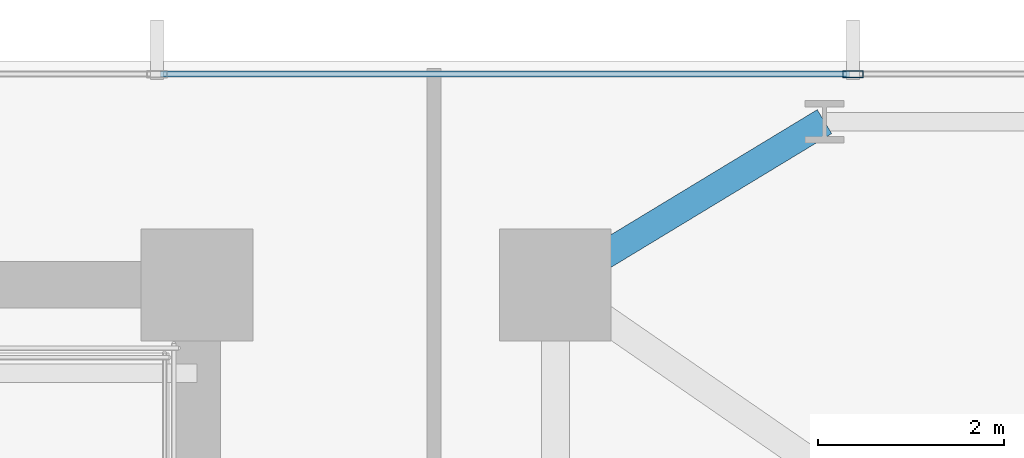
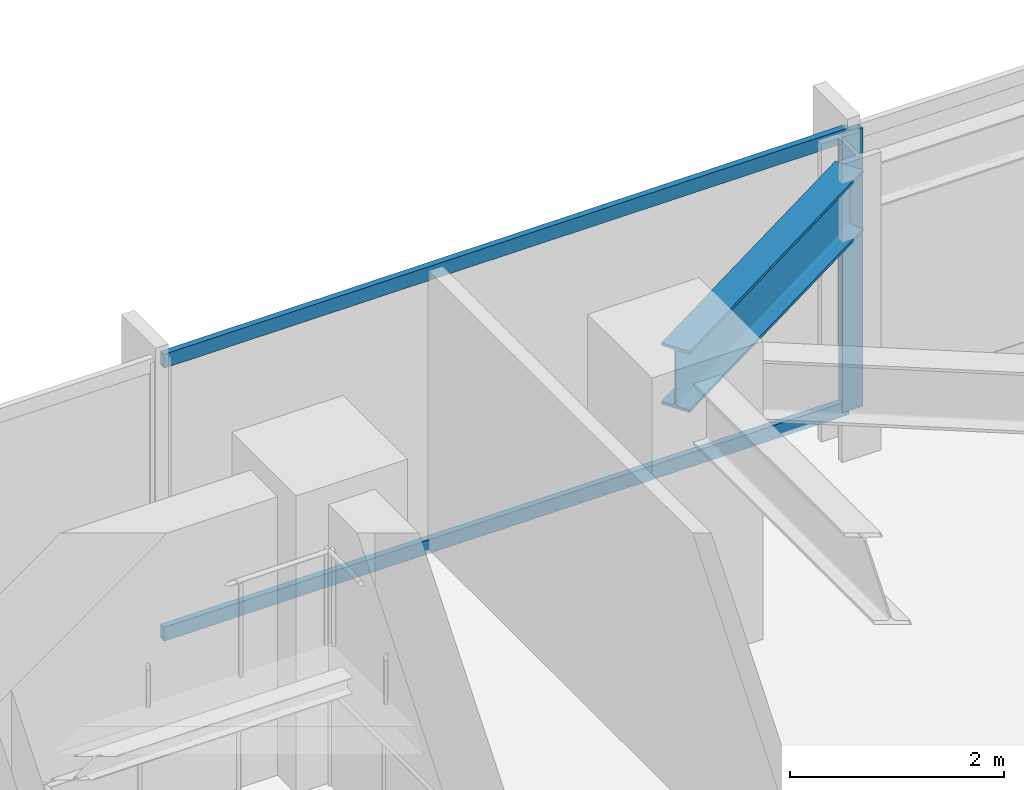
# One storey, part 20 of 32: 3 members, 1 beam, 1 element without a shape of its own.
"""IFC4 building model written with IfcOpenShell, lengths in metres."""

from ifc_helpers import new_model, si_unit, direction, frame, origin, origin_2d, place, context, subcontext, project, spatial, hollow_rectangle, i_section, extrude, material, material_profile, profile_set, type_object, element, aggregate, save


model = new_model("IFC4")

# Units and contexts
model_context = context("Model", 3, precision=1e-05, world=origin(), true_north=direction((0.0, 1.0)))
body_context = subcontext(model_context, "Body", "Model", "MODEL_VIEW")
ifc_project = project(units=[si_unit("LENGTHUNIT", "METRE"), si_unit("AREAUNIT", "SQUARE_METRE"), si_unit("VOLUMEUNIT", "CUBIC_METRE"), si_unit("PLANEANGLEUNIT", "RADIAN"), si_unit("MASSUNIT", "GRAM", prefix="KILO")], contexts=[model_context])

# Site, building, storey
site_placement = place(None, origin())
site = spatial("IfcSite", under=ifc_project, at=site_placement, CompositionType="ELEMENT")
building_placement = place(site_placement, origin())
building = spatial("IfcBuilding", under=site, at=building_placement, Name="Yelkora Congress Tower", CompositionType="ELEMENT")
storey_placement = place(building_placement, frame((0.0, 0.0, 50.800048828125)))
storey = spatial("IfcBuildingStorey", under=building, at=storey_placement, Name="L12", CompositionType="ELEMENT", Elevation=50.800048828125)

# Beam
ifc_material_1 = material(Name="Steel S355J2", Category="steel")
ifc_material_profile_1 = material_profile(ifc_material_1, i_section(OverallWidth=0.300048828125, OverallDepth=0.699951171875, WebThickness=0.01708984375, FlangeThickness=0.031982421875, FilletRadius=0.027099609375, at=origin_2d()), Name="HEB 700")
ifc_profile_set_1 = profile_set([ifc_material_profile_1], Name="Steel S355J2")
beam_type = type_object("IfcBeamType", Name="BM-GIRD-HEB700", PredefinedType="BEAM", material=ifc_profile_set_1)
beam_placement = place(storey_placement, frame((60.487548828125, 47.949951171875, 2.829833984375), z_axis=(-0.855193946581, -0.518308126244, 0.0), x_axis=(0.518308126244, -0.855193946581, 0.0)))
element("IfcBeam", 1, at=beam_placement, inside=storey, type_object=beam_type, Name="L12 Primary Frame Girder N08", PredefinedType="BEAM", context=body_context, shape_type="SweptSolid", body=[
    extrude(i_section(OverallWidth=0.300048828125, OverallDepth=0.699951171875, WebThickness=0.01708984375, FlangeThickness=0.031982421875, FilletRadius=0.027099609375, at=origin_2d()), origin(), (0.0, 0.0, 1.0), 3.37646484375),
])

# Curtain wall, members
ifc_material_2 = material(Name="Anodised aluminium and insulated glass", Category="aluminium")
curtain_wall_type = type_object("IfcCurtainWallType", Name="CW-SYS-B1", PredefinedType="NOTDEFINED", material=ifc_material_2)
curtain_wall_placement = place(storey_placement, origin())
curtain_wall = element("IfcCurtainWall", 2, at=curtain_wall_placement, inside=storey, type_object=curtain_wall_type, Name="L12 Unitised Curtain Wall 10", PredefinedType="NOTDEFINED")
ifc_material_3 = material(Name="Anodised aluminium 6063-T6", Category="aluminium")
ifc_material_profile_2 = material_profile(ifc_material_3, hollow_rectangle(XDim=0.074951171875, YDim=0.219970703125, WallThickness=0.0048828125, at=origin_2d()), Name="ALU 75x220x5")
ifc_profile_set_2 = profile_set([ifc_material_profile_2], Name="Anodised aluminium 6063-T6")
member_type_1 = type_object("IfcMemberType", Name="MEM-ML-B1", PredefinedType="MULLION", material=ifc_profile_set_2)
member_1_placement = place(storey_placement, frame((60.794921875, 48.4599609375, 0.0), z_axis=(0.0, 0.0, 1.0), x_axis=(0.0, 1.0, 0.0)))
member_1 = element("IfcMember", 3, at=member_1_placement, type_object=member_type_1, Name="CW-B1 mullion 8", PredefinedType="MULLION", context=body_context, shape_type="SweptSolid", body=[
    extrude(hollow_rectangle(XDim=0.074951171875, YDim=0.219970703125, WallThickness=0.0048828125, at=origin_2d()), origin(), (0.0, 0.0, 1.0), 3.179931640625),
])
ifc_material_profile_3 = material_profile(ifc_material_3, hollow_rectangle(XDim=0.06494140625, YDim=0.159912109375, WallThickness=0.00390625, at=origin_2d()), Name="ALU 65x160x4")
ifc_profile_set_3 = profile_set([ifc_material_profile_3], Name="Anodised aluminium 6063-T6")
member_type_2 = type_object("IfcMemberType", Name="MEM-TR-B1", PredefinedType="USERDEFINED", material=ifc_profile_set_3)
member_2_placement = place(storey_placement, frame((53.367431640625, 48.4599609375, 0.032470703125), z_axis=(1.0, 0.0, 0.0), x_axis=(0.0, 1.0, 0.0)))
member_2 = element("IfcMember", 4, at=member_2_placement, type_object=member_type_2, Name="CW-B1 transom 7.1", ObjectType="TRANSOM", PredefinedType="USERDEFINED", context=body_context, shape_type="SweptSolid", body=[
    extrude(hollow_rectangle(XDim=0.06494140625, YDim=0.159912109375, WallThickness=0.00390625, at=origin_2d()), origin(), (0.0, 0.0, 1.0), 7.39013671875),
])
member_3_placement = place(storey_placement, frame((53.367431640625, 48.4599609375, 3.1474609375), z_axis=(1.0, 0.0, 0.0), x_axis=(0.0, 1.0, 0.0)))
member_3 = element("IfcMember", 5, at=member_3_placement, type_object=member_type_2, Name="CW-B1 transom 7.2", ObjectType="TRANSOM", PredefinedType="USERDEFINED", context=body_context, shape_type="SweptSolid", body=[
    extrude(hollow_rectangle(XDim=0.06494140625, YDim=0.159912109375, WallThickness=0.00390625, at=origin_2d()), origin(), (0.0, 0.0, 1.0), 7.39013671875),
])
aggregate(curtain_wall, [member_1, member_2, member_3])

save(model, "model.ifc")
